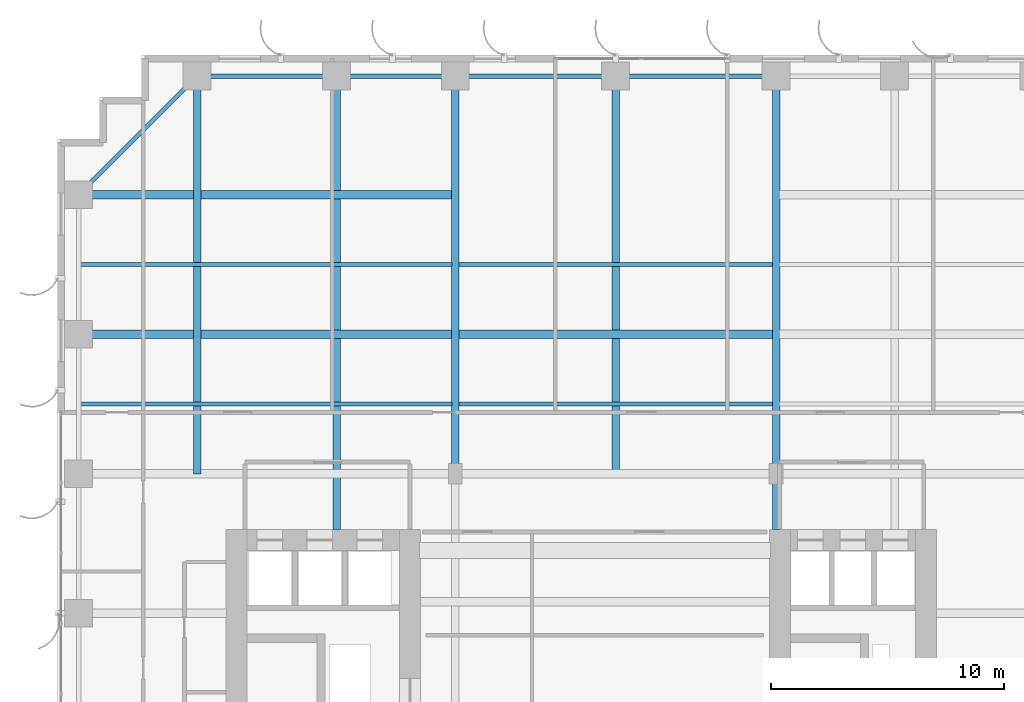
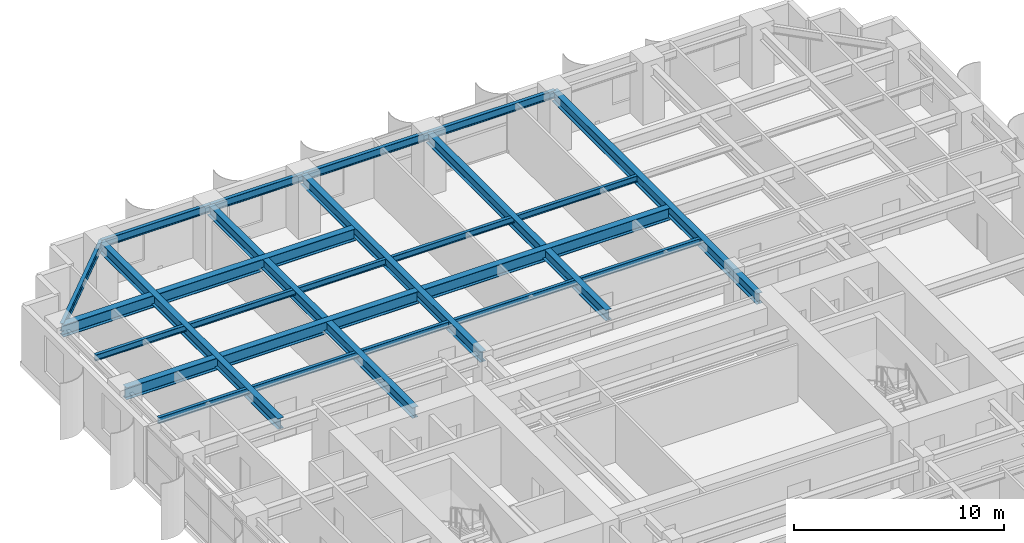
# One storey, part 13 of 25: 17 beams.
"""IFC4 building model written with IfcOpenShell, lengths in metres."""

from ifc_helpers import new_model, si_unit, direction, frame, origin, origin_2d, place, context, subcontext, project, spatial, i_section, extrude, source, transform, mapped, material, material_profile, profile_set, type_object, element, save


model = new_model("IFC4")

# Units and contexts
model_context = context("Model", 3, precision=1e-05, world=origin(), true_north=direction((0.0, 1.0)))
body_context = subcontext(model_context, "Body", "Model", "MODEL_VIEW")
ifc_project = project(units=[si_unit("LENGTHUNIT", "METRE"), si_unit("AREAUNIT", "SQUARE_METRE"), si_unit("VOLUMEUNIT", "CUBIC_METRE"), si_unit("PLANEANGLEUNIT", "RADIAN"), si_unit("MASSUNIT", "GRAM", prefix="KILO")], contexts=[model_context])

# Site, building, storey
site_placement = place(None, origin())
site = spatial("IfcSite", under=ifc_project, at=site_placement, CompositionType="ELEMENT")
building_placement = place(site_placement, origin())
building = spatial("IfcBuilding", under=site, at=building_placement, Name="Khoralis Quay Care Tower", CompositionType="ELEMENT")
storey_placement = place(building_placement, frame((0.0, 0.0, 51.300048828125)))
storey = spatial("IfcBuildingStorey", under=building, at=storey_placement, Name="L13", CompositionType="ELEMENT", Elevation=51.300048828125)

# Beams
ifc_material = material(Name="Steel S355", Category="steel")
ifc_material_profile_1 = material_profile(ifc_material, i_section(OverallWidth=0.18994140625, OverallDepth=0.449951171875, WebThickness=0.009521484375, FlangeThickness=0.0146484375, FilletRadius=0.02099609375, at=origin_2d()), Name="Steel S355")
ifc_profile_set_1 = profile_set([ifc_material_profile_1], Name="Steel S355")
beam_type_1 = type_object("IfcBeamType", Name="BM-IPE450", PredefinedType="SPANDREL", material=ifc_profile_set_1)
shared_shape_1 = source(origin(), body_context, "Body", "SweptSolid", [
    extrude(i_section(OverallWidth=0.18994140625, OverallDepth=0.449951171875, WebThickness=0.009521484375, FlangeThickness=0.0146484375, FilletRadius=0.02099609375, at=origin_2d()), origin(), (0.0, 0.0, 1.0), 6.0),
])
beam_1_placement = place(storey_placement, frame((6.0, 47.10009765625, 3.094970703125), z_axis=(1.0, 0.0, 0.0), x_axis=(0.0, 1.0, 0.0)))
element("IfcBeam", 1, at=beam_1_placement, inside=storey, type_object=beam_type_1, Name="BM-TSP-L13-07", PredefinedType="SPANDREL", context=body_context, shape_type="MappedRepresentation", body=[
    mapped(shared_shape_1, transform((0.0, 0.0, 0.0), scale=1.0)),
])
shared_shape_2 = source(origin(), body_context, "Body", "SweptSolid", [
    extrude(i_section(OverallWidth=0.18994140625, OverallDepth=0.449951171875, WebThickness=0.009521484375, FlangeThickness=0.0146484375, FilletRadius=0.02099609375, at=origin_2d()), origin(), (0.0, 0.0, 1.0), 5.10009765625),
])
beam_2_placement = place(storey_placement, frame((12.0, 47.10009765625, 3.094970703125), z_axis=(1.0, 0.0, 0.0), x_axis=(0.0, 1.0, 0.0)))
element("IfcBeam", 2, at=beam_2_placement, inside=storey, type_object=beam_type_1, Name="BM-TSP-L13-08", PredefinedType="SPANDREL", context=body_context, shape_type="MappedRepresentation", body=[
    mapped(shared_shape_2, transform((0.0, 0.0, 0.0), scale=1.0)),
])
shared_shape_3 = source(origin(), body_context, "Body", "SweptSolid", [
    extrude(i_section(OverallWidth=0.18994140625, OverallDepth=0.449951171875, WebThickness=0.009521484375, FlangeThickness=0.0146484375, FilletRadius=0.02099609375, at=origin_2d()), origin(), (0.0, 0.0, 1.0), 6.89990234375),
])
for number, where, z_axis, x_axis, name in (
    (3, (17.10009765625, 47.10009765625, 3.094970703125), (1.0, 0.0, 0.0), (0.0, 1.0, 0.0), "BM-TSP-L13-09"),
    (4, (24.0, 47.10009765625, 3.094970703125), (1.0, 0.0, 0.0), (0.0, 1.0, 0.0), "BM-TSP-L13-10"),
):
    element("IfcBeam", number, at=place(storey_placement, frame(where, z_axis=z_axis, x_axis=x_axis)), inside=storey, type_object=beam_type_1, Name=name, PredefinedType="SPANDREL", context=body_context, shape_type="MappedRepresentation", body=[
        mapped(shared_shape_3, transform((0.0, 0.0, 0.0), scale=1.0)),
    ])
shared_shape_4 = source(origin(), body_context, "Body", "SweptSolid", [
    extrude(i_section(OverallWidth=0.18994140625, OverallDepth=0.449951171875, WebThickness=0.009521484375, FlangeThickness=0.0146484375, FilletRadius=0.02099609375, at=origin_2d()), origin(), (0.0, 0.0, 1.0), 7.212646484375),
])
beam_3_placement = place(storey_placement, frame((6.0, 47.10009765625, 3.094970703125), z_axis=(-0.707106781187, -0.707106781187, 0.0), x_axis=(0.707106781187, -0.707106781187, 0.0)))
element("IfcBeam", 5, at=beam_3_placement, inside=storey, type_object=beam_type_1, Name="BM-TCR-L13-27", PredefinedType="SPANDREL", context=body_context, shape_type="MappedRepresentation", body=[
    mapped(shared_shape_4, transform((0.0, 0.0, 0.0), scale=1.0)),
])
ifc_material_profile_2 = material_profile(ifc_material, i_section(OverallWidth=0.35498046875, OverallDepth=0.695068359375, WebThickness=0.015380859375, FlangeThickness=0.02490234375, FilletRadius=0.02001953125, at=origin_2d()), Name="Steel S355")
ifc_profile_set_2 = profile_set([ifc_material_profile_2], Name="Steel S355")
beam_type_2 = type_object("IfcBeamType", Name="BM-W690X217", PredefinedType="BEAM", material=ifc_profile_set_2)
shared_shape_5 = source(origin(), body_context, "Body", "SweptSolid", [
    extrude(i_section(OverallWidth=0.35498046875, OverallDepth=0.695068359375, WebThickness=0.015380859375, FlangeThickness=0.02490234375, FilletRadius=0.02001953125, at=origin_2d()), origin(), (0.0, 0.0, 1.0), 16.049560546875),
])
for number, where, z_axis, x_axis, name in (
    (6, (0.89990234375, 36.0, 2.972412109375), (1.0, 0.0, 0.0), (0.0, 1.0, 0.0), "BM-TGXW-L13-360"),
    (7, (0.89990234375, 42.0, 2.972412109375), (1.0, 0.0, 0.0), (0.0, 1.0, 0.0), "BM-TGXW-L13-420"),
):
    element("IfcBeam", number, at=place(storey_placement, frame(where, z_axis=z_axis, x_axis=x_axis)), inside=storey, type_object=beam_type_2, Name=name, PredefinedType="BEAM", context=body_context, shape_type="MappedRepresentation", body=[
        mapped(shared_shape_5, transform((0.0, 0.0, 0.0), scale=1.0)),
    ])
shared_shape_6 = source(origin(), body_context, "Body", "SweptSolid", [
    extrude(i_section(OverallWidth=0.35498046875, OverallDepth=0.695068359375, WebThickness=0.015380859375, FlangeThickness=0.02490234375, FilletRadius=0.02001953125, at=origin_2d()), origin(), (0.0, 0.0, 1.0), 13.4990234375),
])
beam_4_placement = place(storey_placement, frame((17.25048828125, 36.0, 2.972412109375), z_axis=(1.0, 0.0, 0.0), x_axis=(0.0, 1.0, 0.0)))
element("IfcBeam", 8, at=beam_4_placement, inside=storey, type_object=beam_type_2, Name="BM-TGCC-L13-360", PredefinedType="BEAM", context=body_context, shape_type="MappedRepresentation", body=[
    mapped(shared_shape_6, transform((0.0, 0.0, 0.0), scale=1.0)),
])
ifc_material_profile_3 = material_profile(ifc_material, i_section(OverallWidth=0.324951171875, OverallDepth=0.615966796875, WebThickness=0.013916015625, FlangeThickness=0.021484375, FilletRadius=0.01806640625, at=origin_2d()), Name="Steel S355")
ifc_profile_set_3 = profile_set([ifc_material_profile_3], Name="Steel S355")
beam_type_3 = type_object("IfcBeamType", Name="BM-W610X174", PredefinedType="BEAM", material=ifc_profile_set_3)
shared_shape_7 = source(origin(), body_context, "Body", "SweptSolid", [
    extrude(i_section(OverallWidth=0.324951171875, OverallDepth=0.615966796875, WebThickness=0.013916015625, FlangeThickness=0.021484375, FilletRadius=0.01806640625, at=origin_2d()), origin(), (0.0, 0.0, 1.0), 17.10009765625),
])
for number, where, z_axis, x_axis, name in (
    (9, (6.0, 30.0, 3.011962890625), (0.0, 1.0, 0.0), (-1.0, 0.0, 0.0), "BM-TGYN-L13-60"),
    (10, (17.10009765625, 30.0, 3.011962890625), (0.0, 1.0, 0.0), (-1.0, 0.0, 0.0), "BM-TGYN-L13-171"),
    (11, (24.0, 30.0, 3.011962890625), (0.0, 1.0, 0.0), (-1.0, 0.0, 0.0), "BM-TGYN-L13-240"),
):
    element("IfcBeam", number, at=place(storey_placement, frame(where, z_axis=z_axis, x_axis=x_axis)), inside=storey, type_object=beam_type_3, Name=name, PredefinedType="BEAM", context=body_context, shape_type="MappedRepresentation", body=[
        mapped(shared_shape_7, transform((0.0, 0.0, 0.0), scale=1.0)),
    ])
shared_shape_8 = source(origin(), body_context, "Body", "SweptSolid", [
    extrude(i_section(OverallWidth=0.324951171875, OverallDepth=0.615966796875, WebThickness=0.013916015625, FlangeThickness=0.021484375, FilletRadius=0.01806640625, at=origin_2d()), origin(), (0.0, 0.0, 1.0), 19.502197265625),
])
for number, where, z_axis, x_axis, name in (
    (12, (12.0, 27.597900390625, 3.011962890625), (0.0, 1.0, 0.0), (-1.0, 0.0, 0.0), "BM-TGYN-L13-120"),
    (13, (30.89990234375, 27.597900390625, 3.011962890625), (0.0, 1.0, 0.0), (-1.0, 0.0, 0.0), "BM-TGYN-L13-309"),
):
    element("IfcBeam", number, at=place(storey_placement, frame(where, z_axis=z_axis, x_axis=x_axis)), inside=storey, type_object=beam_type_3, Name=name, PredefinedType="BEAM", context=body_context, shape_type="MappedRepresentation", body=[
        mapped(shared_shape_8, transform((0.0, 0.0, 0.0), scale=1.0)),
    ])
ifc_material_profile_4 = material_profile(ifc_material, i_section(OverallWidth=0.1708984375, OverallDepth=0.35498046875, WebThickness=0.007080078125, FlangeThickness=0.01171875, FilletRadius=0.012939453125, at=origin_2d()), Name="Steel S355")
ifc_profile_set_4 = profile_set([ifc_material_profile_4], Name="Steel S355")
beam_type_4 = type_object("IfcBeamType", Name="BM-W360X51", PredefinedType="JOIST", material=ifc_profile_set_4)
shared_shape_9 = source(origin(), body_context, "Body", "SweptSolid", [
    extrude(i_section(OverallWidth=0.1708984375, OverallDepth=0.35498046875, WebThickness=0.007080078125, FlangeThickness=0.01171875, FilletRadius=0.012939453125, at=origin_2d()), origin(), (0.0, 0.0, 1.0), 15.968505859375),
])
for number, where, z_axis, x_axis, name in (
    (14, (0.98095703125, 33.0, 3.142333984375), (1.0, 0.0, 0.0), (0.0, 1.0, 0.0), "BM-TJS-L13-32"),
    (15, (0.98095703125, 39.0, 3.142333984375), (1.0, 0.0, 0.0), (0.0, 1.0, 0.0), "BM-TJS-L13-35"),
):
    element("IfcBeam", number, at=place(storey_placement, frame(where, z_axis=z_axis, x_axis=x_axis)), inside=storey, type_object=beam_type_4, Name=name, PredefinedType="JOIST", context=body_context, shape_type="MappedRepresentation", body=[
        mapped(shared_shape_9, transform((0.0, 0.0, 0.0), scale=1.0)),
    ])
shared_shape_10 = source(origin(), body_context, "Body", "SweptSolid", [
    extrude(i_section(OverallWidth=0.1708984375, OverallDepth=0.35498046875, WebThickness=0.007080078125, FlangeThickness=0.01171875, FilletRadius=0.012939453125, at=origin_2d()), origin(), (0.0, 0.0, 1.0), 13.4990234375),
])
for number, where, z_axis, x_axis, name in (
    (16, (17.25048828125, 33.0, 3.142333984375), (1.0, 0.0, 0.0), (0.0, 1.0, 0.0), "BM-TJS-L13-34"),
    (17, (17.25048828125, 39.0, 3.142333984375), (1.0, 0.0, 0.0), (0.0, 1.0, 0.0), "BM-TJS-L13-37"),
):
    element("IfcBeam", number, at=place(storey_placement, frame(where, z_axis=z_axis, x_axis=x_axis)), inside=storey, type_object=beam_type_4, Name=name, PredefinedType="JOIST", context=body_context, shape_type="MappedRepresentation", body=[
        mapped(shared_shape_10, transform((0.0, 0.0, 0.0), scale=1.0)),
    ])

save(model, "model.ifc")
